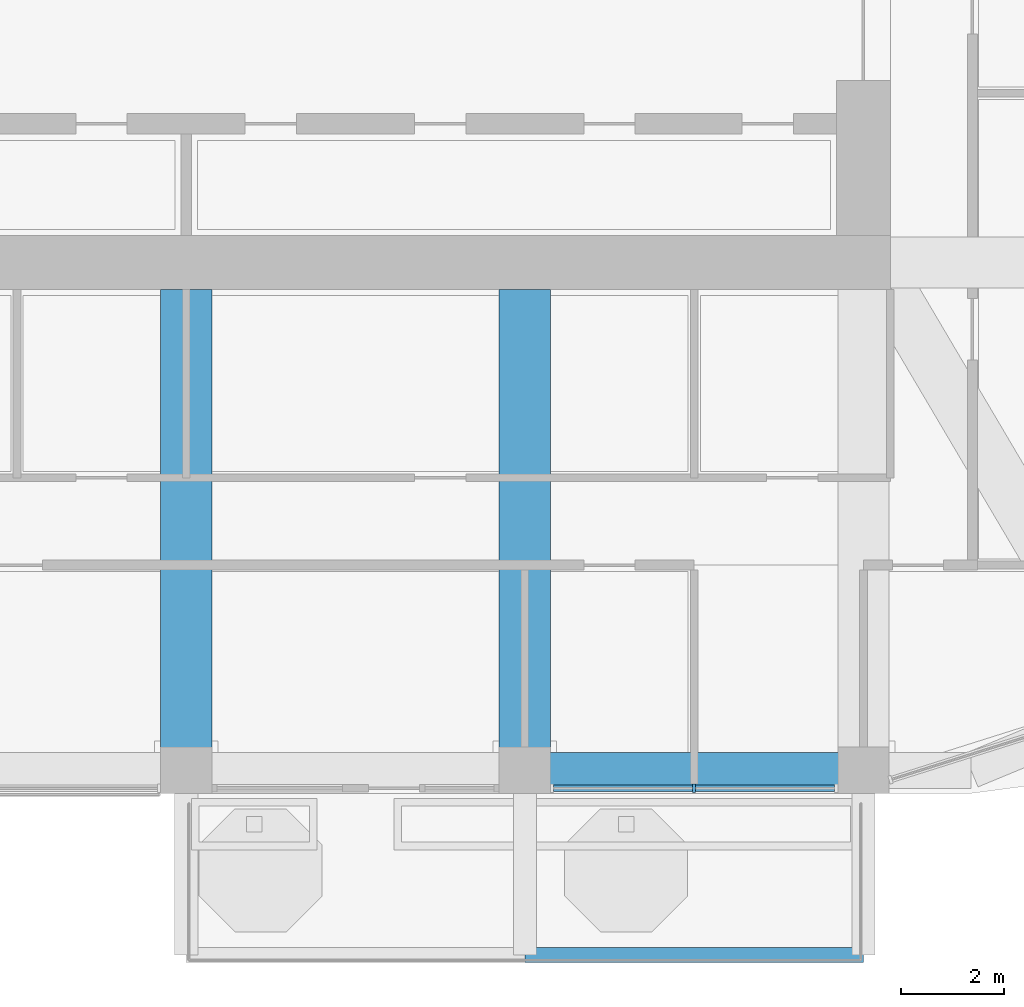
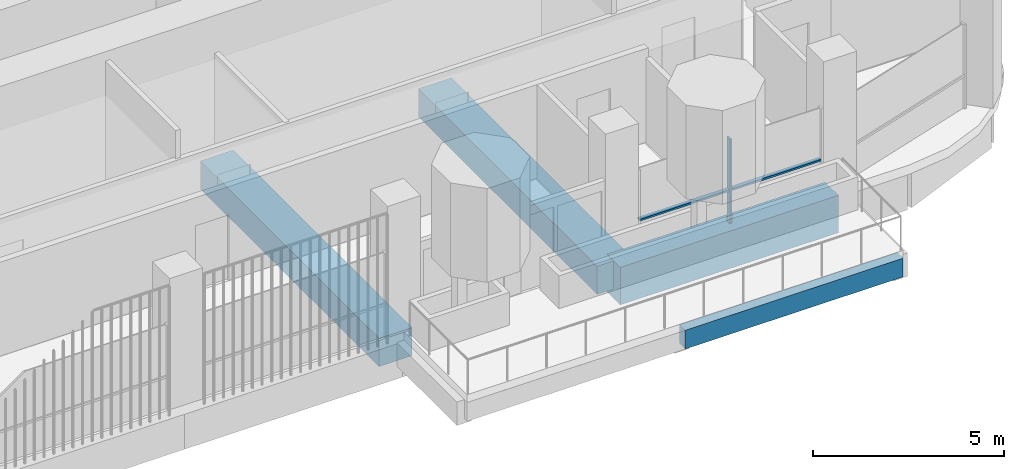
# One storey, part 3 of 21: 4 beams, 3 members, 1 element without a shape of its own.
"""IFC4 building model written with IfcOpenShell, lengths in metres."""

from ifc_helpers import new_model, si_unit, direction, frame, origin, origin_2d, place, context, subcontext, project, spatial, rectangle, extrude, material, material_profile, profile_set, type_object, element, aggregate, save


model = new_model("IFC4")

# Units and contexts
model_context = context("Model", 3, precision=1e-05, world=origin(), true_north=direction((0.0, 1.0)))
body_context = subcontext(model_context, "Body", "Model", "MODEL_VIEW")
ifc_project = project(units=[si_unit("LENGTHUNIT", "METRE"), si_unit("AREAUNIT", "SQUARE_METRE"), si_unit("VOLUMEUNIT", "CUBIC_METRE"), si_unit("PLANEANGLEUNIT", "RADIAN"), si_unit("MASSUNIT", "GRAM", prefix="KILO")], contexts=[model_context])

# Site, building, storey
site_placement = place(None, origin())
site = spatial("IfcSite", under=ifc_project, at=site_placement, CompositionType="ELEMENT")
building_placement = place(site_placement, origin())
building = spatial("IfcBuilding", under=site, at=building_placement, Name="Cobogo Forest Laboratory Tower", CompositionType="ELEMENT")
storey_placement = place(building_placement, frame((0.0, 0.0, 275.39990234375)))
storey = spatial("IfcBuildingStorey", under=building, at=storey_placement, Name="L63", CompositionType="ELEMENT", Elevation=275.39990234375)

# Beam
ifc_material_1 = material(Name="Concrete HA-40 (C40/50)", Category="concrete")
ifc_material_profile_1 = material_profile(ifc_material_1, rectangle(XDim=0.300048828125, YDim=0.60009765625, at=origin_2d()), Name="RC 300x600")
ifc_profile_set_1 = profile_set([ifc_material_profile_1], Name="Concrete HA-40 (C40/50)")
beam_type_1 = type_object("IfcBeamType", Name="Balcony edge beam 300x600", PredefinedType="BEAM", material=ifc_profile_set_1)
beam_1_placement = place(storey_placement, frame((33.0, -0.300048828125, -0.5498046875), z_axis=(1.0, 0.0, 0.0), x_axis=(0.0, 1.0, 0.0)))
element("IfcBeam", 1, at=beam_1_placement, inside=storey, type_object=beam_type_1, Name="BB1 BAL-S1-T2 L63", PredefinedType="BEAM", context=body_context, shape_type="SweptSolid", body=[
    extrude(rectangle(XDim=0.300048828125, YDim=0.60009765625, at=origin_2d()), origin(), (0.0, 0.0, 1.0), 6.60009765625),
])

# Curtain wall, member
ifc_material_2 = material(Name="Aluminium curtain wall", Category="aluminium")
curtain_wall_type = type_object("IfcCurtainWallType", Name="CW-2 unitised curtain wall, solar control glazing, laboratory floors zones C and D", PredefinedType="USERDEFINED", material=ifc_material_2)
curtain_wall_placement = place(storey_placement, origin())
curtain_wall = element("IfcCurtainWall", 2, at=curtain_wall_placement, inside=storey, type_object=curtain_wall_type, Name="Curtain wall 04 L63", ObjectType="UNITISED CURTAIN WALL", PredefinedType="USERDEFINED")
ifc_material_3 = material(Name="Aluminium mullion", Category="aluminium")
ifc_material_profile_2 = material_profile(ifc_material_3, rectangle(XDim=0.06005859375, YDim=0.159912109375, at=origin_2d()), Name="AL 60x160")
ifc_profile_set_2 = profile_set([ifc_material_profile_2], Name="Aluminium mullion")
member_type_1 = type_object("IfcMemberType", Name="MU-1 aluminium mullion 60x160", PredefinedType="MULLION", material=ifc_profile_set_2)
member_1_placement = place(storey_placement, frame((36.300048828125, 2.949951171875, 0.0), z_axis=(0.0, 0.0, 1.0), x_axis=(1.0, 0.0, 0.0)))
member_1 = element("IfcMember", 3, at=member_1_placement, type_object=member_type_1, Name="CW-2 mullion 2", PredefinedType="MULLION", context=body_context, shape_type="SweptSolid", body=[
    extrude(rectangle(XDim=0.06005859375, YDim=0.159912109375, at=origin_2d()), origin(), (0.0, 0.0, 1.0), 2.7001953125),
])

# Beams
ifc_material_profile_3 = material_profile(ifc_material_1, rectangle(XDim=1.0, YDim=0.89990234375, at=origin_2d()), Name="RC 1000x900")
ifc_profile_set_3 = profile_set([ifc_material_profile_3], Name="Concrete HA-40 (C40/50)")
beam_type_2 = type_object("IfcBeamType", Name="Office floor wide beam 1000x900", PredefinedType="BEAM", material=ifc_profile_set_3)
for number, where, z_axis, x_axis, name in (
    (4, (26.39990234375, 12.675048828125, -0.75), (0.0, -1.0, 0.0), (1.0, 0.0, 0.0), "RB2 R-5-S L63"),
    (5, (33.0, 12.675048828125, -0.75), (0.0, -1.0, 0.0), (1.0, 0.0, 0.0), "RB2 R-6-S L63"),
):
    element("IfcBeam", number, at=place(storey_placement, frame(where, z_axis=z_axis, x_axis=x_axis)), inside=storey, type_object=beam_type_2, Name=name, PredefinedType="BEAM", context=body_context, shape_type="SweptSolid", body=[
        extrude(rectangle(XDim=1.0, YDim=0.89990234375, at=origin_2d()), origin(), (0.0, 0.0, 1.0), 9.375),
    ])
ifc_material_profile_4 = material_profile(ifc_material_1, rectangle(XDim=0.699951171875, YDim=1.199951171875, at=origin_2d()), Name="RC 700x1200")
ifc_profile_set_4 = profile_set([ifc_material_profile_4], Name="Concrete HA-40 (C40/50)")
beam_type_3 = type_object("IfcBeamType", Name="Perimeter edge beam 700x1200", PredefinedType="BEAM", material=ifc_profile_set_4)
beam_2_placement = place(storey_placement, frame((33.0, 3.300048828125, -0.89990234375), z_axis=(1.0, 0.0, 0.0), x_axis=(0.0, 1.0, 0.0)))
element("IfcBeam", 6, at=beam_2_placement, inside=storey, type_object=beam_type_3, Name="EB1 E-S4 L63", PredefinedType="BEAM", context=body_context, shape_type="SweptSolid", body=[
    extrude(rectangle(XDim=0.699951171875, YDim=1.199951171875, at=origin_2d()), origin(), (0.0, 0.0, 1.0), 6.60009765625),
])

# Member
ifc_material_4 = material(Name="Aluminium transom", Category="aluminium")
ifc_material_profile_5 = material_profile(ifc_material_4, rectangle(XDim=0.1201171875, YDim=0.06005859375, at=origin_2d()), Name="AL 60x120")
ifc_profile_set_5 = profile_set([ifc_material_profile_5], Name="Aluminium transom")
member_type_2 = type_object("IfcMemberType", Name="TR-1 aluminium transom 60x120", PredefinedType="USERDEFINED", material=ifc_profile_set_5)
member_2_placement = place(storey_placement, frame((33.56005859375, 2.949951171875, 1.050048828125), z_axis=(1.0, 0.0, 0.0), x_axis=(0.0, 1.0, 0.0)))
member_2 = element("IfcMember", 7, at=member_2_placement, type_object=member_type_2, Name="CW-2 transom 1.1", ObjectType="TRANSOM", PredefinedType="USERDEFINED", context=body_context, shape_type="SweptSolid", body=[
    extrude(rectangle(XDim=0.1201171875, YDim=0.06005859375, at=origin_2d()), origin(), (0.0, 0.0, 1.0), 2.7099609375),
])

member_3_placement = place(storey_placement, frame((36.330078125, 2.949951171875, 1.050048828125), z_axis=(1.0, 0.0, 0.0), x_axis=(0.0, 1.0, 0.0)))
member_3 = element("IfcMember", 8, at=member_3_placement, type_object=member_type_2, Name="CW-2 transom 2.1", ObjectType="TRANSOM", PredefinedType="USERDEFINED", context=body_context, shape_type="SweptSolid", body=[
    extrude(rectangle(XDim=0.1201171875, YDim=0.06005859375, at=origin_2d()), origin(), (0.0, 0.0, 1.0), 2.7099609375),
])

aggregate(curtain_wall, [member_1, member_2, member_3])

save(model, "model.ifc")
